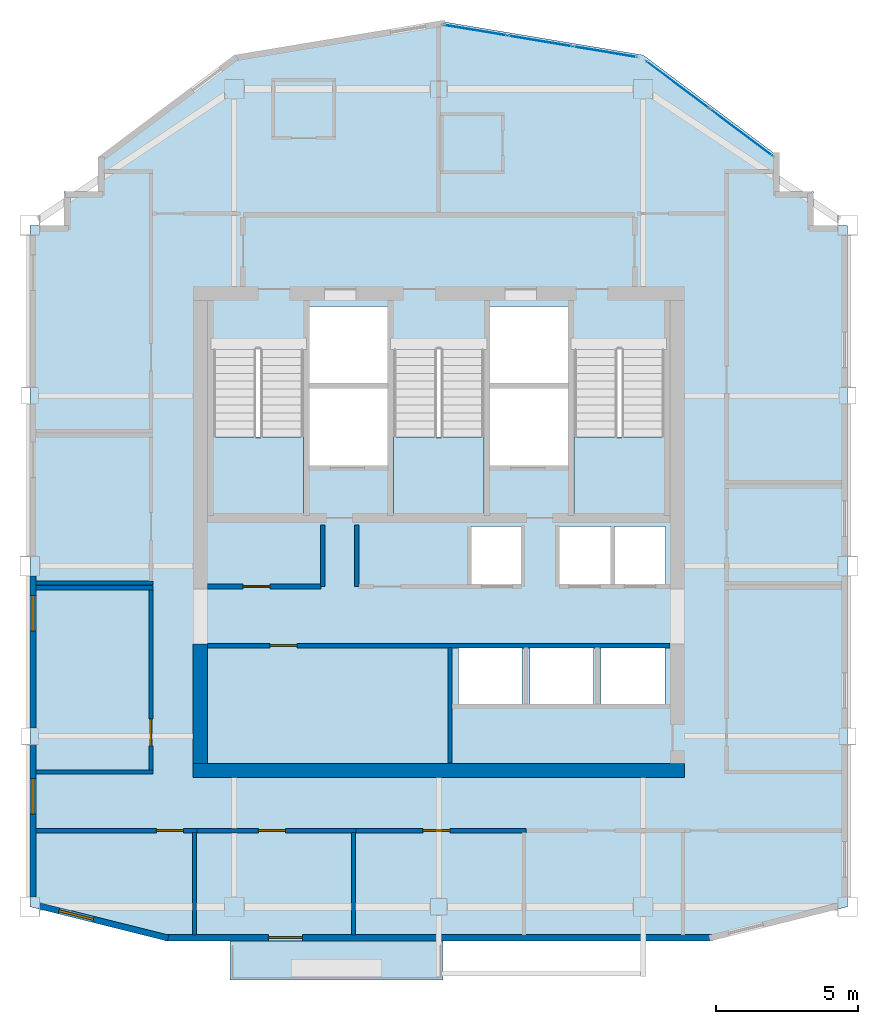
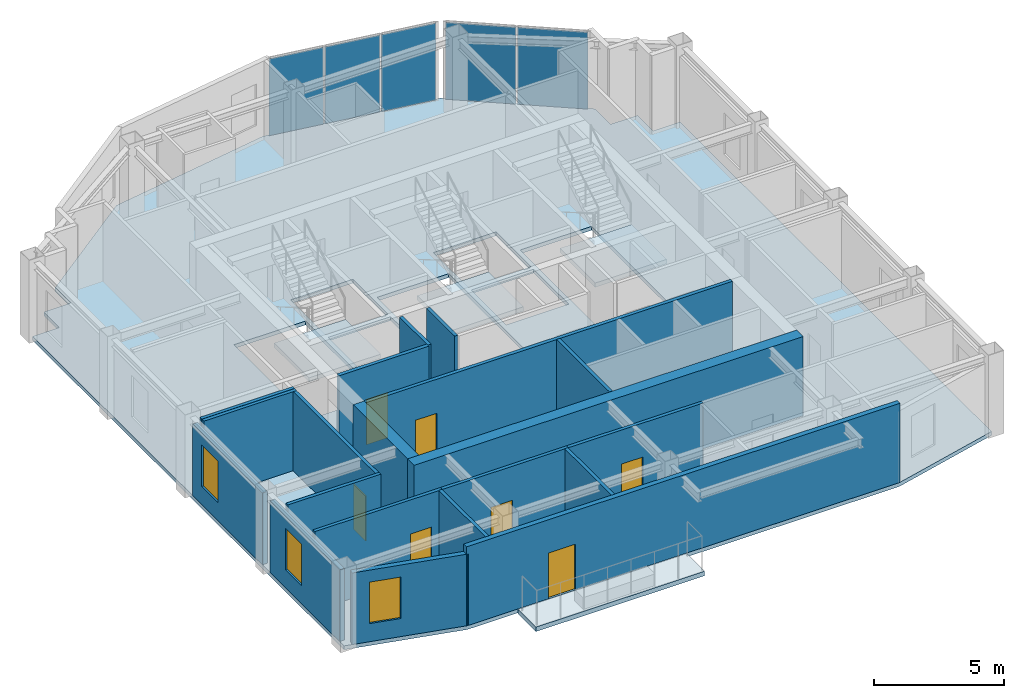
# One storey, part 4 of 8: 20 walls, 7 doors, 5 plates, 5 slabs, 3 windows, 10 openings, 5 elements without a shape of their own.
"""IFC4 building model written with IfcOpenShell, lengths in metres."""

from ifc_helpers import new_model, si_unit, direction, frame, frame_2d, origin, origin_2d, place, context, subcontext, project, spatial, polyline, rectangle, outline, extrude, material, layer, layer_set, type_object, element, fill, aggregate, save


model = new_model("IFC4")

# Units and contexts
model_context = context("Model", 3, precision=1e-05, world=origin(), true_north=direction((0.0, 1.0)))
body_context = subcontext(model_context, "Body", "Model", "MODEL_VIEW")
ifc_project = project(units=[si_unit("LENGTHUNIT", "METRE"), si_unit("AREAUNIT", "SQUARE_METRE"), si_unit("VOLUMEUNIT", "CUBIC_METRE"), si_unit("PLANEANGLEUNIT", "RADIAN"), si_unit("MASSUNIT", "GRAM", prefix="KILO")], contexts=[model_context])

# Site, building, storey
site_placement = place(None, origin())
site = spatial("IfcSite", under=ifc_project, at=site_placement, CompositionType="ELEMENT")
building_placement = place(site_placement, origin())
building = spatial("IfcBuilding", under=site, at=building_placement, Name="Haolan Belvedere Tower", CompositionType="ELEMENT")
storey_placement = place(building_placement, frame((0.0, 0.0, 301.699951171875)))
storey = spatial("IfcBuildingStorey", under=building, at=storey_placement, Name="L76", CompositionType="ELEMENT", Elevation=301.699951171875)

# Curtain wall, plates
ifc_material_1 = material(Name="Anodised champagne-silver aluminium 6063-T6 and Low-E glass", Category="aluminium")
ifc_layer_1 = layer(ifc_material_1, 0.14501953125, Name="Anodised champagne-silver aluminium 6063-T6 and Low-E glass")
ifc_layer_set_1 = layer_set([ifc_layer_1], Name="Anodised champagne-silver aluminium 6063-T6 and Low-E glass")
curtain_wall_type = type_object("IfcCurtainWallType", Name="CW-SYS-05", PredefinedType="NOTDEFINED", material=ifc_layer_set_1)
curtain_wall_1_placement = place(storey_placement, origin())
curtain_wall_1 = element("IfcCurtainWall", 1, at=curtain_wall_1_placement, inside=storey, type_object=curtain_wall_type, Name="L76 CW-SYS-05 ribbon curtain wall 8.1", PredefinedType="NOTDEFINED")
ifc_material_2 = material(Name="Double silver Low-E laminated insulating glass", Category="glass")
ifc_layer_2 = layer(ifc_material_2, 0.02197265625, Name="Double silver Low-E laminated insulating glass")
ifc_layer_set_2 = layer_set([ifc_layer_2], Name="Double silver Low-E laminated insulating glass")
plate_type = type_object("IfcPlateType", Name="CW-SYS-05-PNL", PredefinedType="CURTAIN_PANEL", material=ifc_layer_set_2)
plate_1_placement = place(storey_placement, frame((49.03955078125, 48.8828125, 0.050048828125), z_axis=(0.0, 0.0, 1.0), x_axis=(-0.799997871638, 0.600002837806, 0.0)))
plate_1 = element("IfcPlate", 2, at=plate_1_placement, type_object=plate_type, Name="CW-05 panel 1.1", PredefinedType="CURTAIN_PANEL", context=body_context, shape_type="SweptSolid", body=[
    extrude(rectangle(XDim=2.738037109375, YDim=0.02197265625, at=origin_2d()), origin(), (0.0, 0.0, 1.0), 3.6201171875),
])
plate_2_placement = place(storey_placement, frame((46.805908203125, 50.55810546875, 0.050048828125), z_axis=(0.0, 0.0, 1.0), x_axis=(-0.799997871638, 0.600002837806, 0.0)))
plate_2 = element("IfcPlate", 3, at=plate_2_placement, type_object=plate_type, Name="CW-05 panel 2.1", PredefinedType="CURTAIN_PANEL", context=body_context, shape_type="SweptSolid", body=[
    extrude(rectangle(XDim=2.738037109375, YDim=0.02197265625, at=origin_2d()), origin(), (0.0, 0.0, 1.0), 3.6201171875),
])
aggregate(curtain_wall_1, [plate_1, plate_2])

curtain_wall_2_placement = place(storey_placement, origin())
curtain_wall_2 = element("IfcCurtainWall", 4, at=curtain_wall_2_placement, inside=storey, type_object=curtain_wall_type, Name="L76 CW-SYS-05 ribbon curtain wall 9.1", PredefinedType="NOTDEFINED")
plate_3_placement = place(storey_placement, frame((44.257568359375, 51.712158203125, 0.050048828125), z_axis=(0.0, 0.0, 1.0), x_axis=(-0.98639276122, 0.164405962825, 0.0)))
plate_3 = element("IfcPlate", 5, at=plate_3_placement, type_object=plate_type, Name="CW-05 panel 1.1", PredefinedType="CURTAIN_PANEL", context=body_context, shape_type="SweptSolid", body=[
    extrude(rectangle(XDim=2.24365234375, YDim=0.02197265625, at=origin_2d()), origin(), (0.0, 0.0, 1.0), 3.6201171875),
])
plate_4_placement = place(storey_placement, frame((41.977783203125, 52.09228515625, 0.050048828125), z_axis=(0.0, 0.0, 1.0), x_axis=(-0.98639276122, 0.164405962825, 0.0)))
plate_4 = element("IfcPlate", 6, at=plate_4_placement, type_object=plate_type, Name="CW-05 panel 2.1", PredefinedType="CURTAIN_PANEL", context=body_context, shape_type="SweptSolid", body=[
    extrude(rectangle(XDim=2.270751953125, YDim=0.02197265625, at=origin_2d()), origin(), (0.0, 0.0, 1.0), 3.6201171875),
])
plate_5_placement = place(storey_placement, frame((39.697998046875, 52.47216796875, 0.050048828125), z_axis=(0.0, 0.0, 1.0), x_axis=(-0.98639276122, 0.164405962825, 0.0)))
plate_5 = element("IfcPlate", 7, at=plate_5_placement, type_object=plate_type, Name="CW-05 panel 3.1", PredefinedType="CURTAIN_PANEL", context=body_context, shape_type="SweptSolid", body=[
    extrude(rectangle(XDim=2.24365234375, YDim=0.02197265625, at=origin_2d()), origin(), (0.0, 0.0, 1.0), 3.6201171875),
])
aggregate(curtain_wall_2, [plate_3, plate_4, plate_5])

# Slabs
ifc_material_3 = material(Name="Concrete C40/50", Category="concrete")
ifc_layer_3 = layer(ifc_material_3, 0.2099609375, Name="Concrete C40/50")
ifc_layer_set_3 = layer_set([ifc_layer_3], Name="Concrete C40/50")
slab_type_1 = type_object("IfcSlabType", Name="SL-BAL-210", PredefinedType="FLOOR", material=ifc_layer_set_3)
slab_1_placement = place(storey_placement, frame((0.0, 0.0, -0.22998046875)))
element("IfcSlab", 8, at=slab_1_placement, inside=storey, type_object=slab_type_1, Name="L76 structural tree-planter balcony slab BAL-L76-S1", PredefinedType="FLOOR", context=body_context, shape_type="SweptSolid", body=[
    extrude(outline(polyline([(31.050048828125, 19.02001953125), (38.550048828125, 19.02001953125), (38.550048828125, 20.39990234375), (31.050048828125, 20.39990234375), (31.050048828125, 19.02001953125)])), origin(), (0.0, 0.0, 1.0), 0.2099609375),
])
ifc_layer_4 = layer(ifc_material_3, 0.179931640625, Name="Concrete C40/50")
ifc_layer_set_4 = layer_set([ifc_layer_4], Name="Concrete C40/50")
slab_type_2 = type_object("IfcSlabType", Name="SL-FLR-180", PredefinedType="FLOOR", material=ifc_layer_set_4)
slab_2_placement = place(storey_placement, frame((0.0, 0.0, -0.179931640625)))
element("IfcSlab", 9, at=slab_2_placement, inside=storey, type_object=slab_type_2, Name="L76 structural floor slab", PredefinedType="FLOOR", context=body_context, shape_type="SweptSolid", body=[
    extrude(outline(polyline([(24.0, 21.60009765625), (28.800048828125, 20.39990234375), (48.0, 20.39990234375), (52.800048828125, 21.60009765625), (52.800048828125, 45.60009765625), (52.800048828125, 45.60009765625), (51.60009765625, 45.60009765625), (51.60009765625, 46.800048828125), (50.39990234375, 46.800048828125), (50.39990234375, 48.0), (45.60009765625, 51.60009765625), (38.39990234375, 52.800048828125), (31.199951171875, 51.60009765625), (26.39990234375, 48.0), (26.39990234375, 46.800048828125), (25.199951171875, 46.800048828125), (25.199951171875, 45.60009765625), (24.0, 45.60009765625), (24.0, 45.60009765625), (24.0, 21.60009765625)]), holes=[polyline([(30.449951171875, 41.22998046875), (30.449951171875, 35.449951171875), (33.6298828125, 35.449951171875), (33.6298828125, 41.22998046875), (30.449951171875, 41.22998046875)]), polyline([(36.81005859375, 41.22998046875), (36.81005859375, 35.449951171875), (39.989990234375, 35.449951171875), (39.989990234375, 41.22998046875), (36.81005859375, 41.22998046875)]), polyline([(43.169921875, 41.22998046875), (43.169921875, 35.449951171875), (46.35009765625, 35.449951171875), (46.35009765625, 41.22998046875), (43.169921875, 41.22998046875)]), polyline([(33.830078125, 40.050048828125), (36.610107421875, 40.050048828125), (36.610107421875, 42.75), (33.830078125, 42.75), (33.830078125, 40.050048828125)]), polyline([(33.830078125, 37.14990234375), (36.610107421875, 37.14990234375), (36.610107421875, 39.85009765625), (33.830078125, 39.85009765625), (33.830078125, 37.14990234375)]), polyline([(40.18994140625, 40.050048828125), (42.969970703125, 40.050048828125), (42.969970703125, 42.75), (40.18994140625, 42.75), (40.18994140625, 40.050048828125)]), polyline([(40.18994140625, 37.14990234375), (42.969970703125, 37.14990234375), (42.969970703125, 39.85009765625), (40.18994140625, 39.85009765625), (40.18994140625, 37.14990234375)]), polyline([(39.5400390625, 32.949951171875), (41.389892578125, 32.949951171875), (41.389892578125, 35.0), (39.5400390625, 35.0), (39.5400390625, 32.949951171875)]), polyline([(42.6201171875, 32.949951171875), (44.469970703125, 32.949951171875), (44.469970703125, 35.0), (42.6201171875, 35.0), (42.6201171875, 32.949951171875)]), polyline([(44.580078125, 32.949951171875), (46.3798828125, 32.949951171875), (46.3798828125, 35.0), (44.580078125, 35.0), (44.580078125, 32.949951171875)]), polyline([(39.10009765625, 28.75), (41.340087890625, 28.75), (41.340087890625, 30.75), (39.10009765625, 30.75), (39.10009765625, 28.75)]), polyline([(41.610107421875, 28.75), (43.85009765625, 28.75), (43.85009765625, 30.75), (41.610107421875, 30.75), (41.610107421875, 28.75)]), polyline([(44.1201171875, 28.75), (46.360107421875, 28.75), (46.360107421875, 30.75), (44.1201171875, 30.75), (44.1201171875, 28.75)])]), origin(), (0.0, 0.0, 1.0), 0.179931640625),
])

# Stair, slab
stair_type = type_object("IfcStairType", Name="STR-DL-24R-163", PredefinedType="HALF_TURN_STAIR", material=ifc_material_3)
stair_1_placement = place(storey_placement, origin())
stair_1 = element("IfcStair", 10, at=stair_1_placement, inside=storey, type_object=stair_type, Name="L76 Smokeproof Core Exit Stair ST1", PredefinedType="HALF_TURN_STAIR")
ifc_layer_5 = layer(ifc_material_3, 0.199951171875, Name="Concrete C40/50")
ifc_layer_set_5 = layer_set([ifc_layer_5], Name="Concrete C40/50")
slab_type_3 = type_object("IfcSlabType", Name="SL-LAND-200", PredefinedType="LANDING", material=ifc_layer_set_5)
slab_3_placement = place(storey_placement, frame((0.0, 0.0, 1.75)))
slab_3 = element("IfcSlab", 11, at=slab_3_placement, type_object=slab_type_3, Name="ST1 landing 1", PredefinedType="LANDING", context=body_context, shape_type="SweptSolid", body=[
    extrude(outline(polyline([(30.449951171875, 38.14990234375), (30.449951171875, 35.449951171875), (33.6298828125, 35.449951171875), (33.6298828125, 38.14990234375), (30.449951171875, 38.14990234375)])), origin(), (0.0, 0.0, 1.0), 0.199951171875),
])
aggregate(stair_1, [slab_3])

stair_2_placement = place(storey_placement, origin())
stair_2 = element("IfcStair", 12, at=stair_2_placement, inside=storey, type_object=stair_type, Name="L76 Smokeproof Core Exit Stair ST3", PredefinedType="HALF_TURN_STAIR")
slab_4_placement = place(storey_placement, frame((0.0, 0.0, 1.75)))
slab_4 = element("IfcSlab", 13, at=slab_4_placement, type_object=slab_type_3, Name="ST3 landing 1", PredefinedType="LANDING", context=body_context, shape_type="SweptSolid", body=[
    extrude(outline(polyline([(36.81005859375, 38.14990234375), (36.81005859375, 35.449951171875), (39.989990234375, 35.449951171875), (39.989990234375, 38.14990234375), (36.81005859375, 38.14990234375)])), origin(), (0.0, 0.0, 1.0), 0.199951171875),
])
aggregate(stair_2, [slab_4])

stair_3_placement = place(storey_placement, origin())
stair_3 = element("IfcStair", 14, at=stair_3_placement, inside=storey, type_object=stair_type, Name="L76 Smokeproof Core Exit Stair ST2", PredefinedType="HALF_TURN_STAIR")
slab_5_placement = place(storey_placement, frame((0.0, 0.0, 1.75)))
slab_5 = element("IfcSlab", 15, at=slab_5_placement, type_object=slab_type_3, Name="ST2 landing 1", PredefinedType="LANDING", context=body_context, shape_type="SweptSolid", body=[
    extrude(outline(polyline([(43.169921875, 38.14990234375), (43.169921875, 35.449951171875), (46.35009765625, 35.449951171875), (46.35009765625, 38.14990234375), (43.169921875, 38.14990234375)])), origin(), (0.0, 0.0, 1.0), 0.199951171875),
])
aggregate(stair_3, [slab_5])

# Walls
ifc_material_4 = material(Name="Concrete C50/60", Category="concrete")
ifc_layer_6 = layer(ifc_material_4, 0.5, Name="Concrete C50/60")
ifc_layer_set_6 = layer_set([ifc_layer_6], Name="Concrete C50/60")
wall_type_1 = type_object("IfcWallType", Name="WL-CORE-500", PredefinedType="SHEAR", material=ifc_layer_set_6)
wall_1_placement = place(storey_placement, frame((29.75, 26.39990234375, 0.0), z_axis=(0.0, 0.0, 1.0), x_axis=(1.0, 0.0, 0.0)))
element("IfcWall", 16, at=wall_1_placement, inside=storey, type_object=wall_type_1, Name="L76 central core south shear wall", PredefinedType="SHEAR", context=body_context, shape_type="SweptSolid", body=[
    extrude(rectangle(XDim=17.300048828125, YDim=0.5, at=frame_2d((8.64990234375, 0.0))), origin(), (0.0, 0.0, 1.0), 3.719970703125),
])
wall_2_placement = place(storey_placement, frame((30.0, 26.64990234375, 0.0), z_axis=(0.0, 0.0, 1.0), x_axis=(0.0, 1.0, 0.0)))
element("IfcWall", 17, at=wall_2_placement, inside=storey, type_object=wall_type_1, Name="L76 central core shear wall WS", PredefinedType="SHEAR", context=body_context, shape_type="SweptSolid", body=[
    extrude(rectangle(XDim=4.2001953125, YDim=0.5, at=frame_2d((2.10009765625, 0.0))), origin(), (0.0, 0.0, 1.0), 3.719970703125),
])

# Wall, opening, door
ifc_material_5 = material(Name="Precast concrete C40/50", Category="concrete")
ifc_layer_7 = layer(ifc_material_5, 0.219970703125, Name="Precast concrete C40/50")
ifc_layer_set_7 = layer_set([ifc_layer_7], Name="Precast concrete C40/50")
wall_type_2 = type_object("IfcWallType", Name="WL-EXT-220", PredefinedType="SOLIDWALL", material=ifc_layer_set_7)
wall_3_placement = place(storey_placement, frame((28.758544921875, 20.510009765625, 0.0), z_axis=(0.0, 0.0, 1.0), x_axis=(1.0, 0.0, 0.0)))
wall_3 = element("IfcWall", 18, at=wall_3_placement, inside=storey, type_object=wall_type_2, Name="L76 pale-metal exterior spandrel wall 1.1", PredefinedType="SOLIDWALL", context=body_context, shape_type="SweptSolid", body=[
    extrude(rectangle(XDim=19.282958984375, YDim=0.219970703125, at=frame_2d((9.6416015625, 0.0))), origin(), (0.0, 0.0, 1.0), 3.719970703125),
])
opening_1_placement = place(wall_3_placement, frame((4.841552734375, 0.0, 0.0), z_axis=(0.0, 0.0, 1.0), x_axis=(-1.0, 0.0, 0.0)))
opening_1 = element("IfcOpeningElement", 19, at=opening_1_placement, cuts=wall_3, Name="Opening BD-01", PredefinedType="OPENING", context=body_context, shape_type="SweptSolid", body=[
    extrude(rectangle(XDim=1.199951171875, YDim=2.14990234375, at=frame_2d((0.60009765625, 1.074951171875))), frame((0.0, 0.119873046875, 0.0), z_axis=(0.0, -1.0, 0.0), x_axis=(1.0, 0.0, 0.0)), (0.0, 0.0, 1.0), 0.239990234375),
])
ifc_material_6 = material(Name="Thermally broken pale-metal aluminium and Low-E glass", Category="aluminium")
door_type_1 = type_object("IfcDoorType", Name="DR-BAL-1200", OperationType="NOTDEFINED", PredefinedType="DOOR", material=ifc_material_6)
door_1_placement = place(opening_1_placement, origin())
door_1 = element("IfcDoor", 20, at=door_1_placement, inside=storey, type_object=door_type_1, Name="L76 tree-balcony access door 1", OperationType="SINGLE_SWING_RIGHT", OverallHeight=2.14990234375, OverallWidth=1.199951171875, PredefinedType="DOOR", context=body_context, shape_type="SweptSolid", body=[
    extrude(rectangle(XDim=1.199951171875, YDim=2.14990234375, at=frame_2d((0.60009765625, 1.074951171875))), frame((0.0, 0.02490234375, 0.0), z_axis=(0.0, -1.0, 0.0), x_axis=(1.0, 0.0, 0.0)), (0.0, 0.0, 1.0), 0.050048828125),
])
fill(opening_1, door_1)

# Wall, opening, window
wall_4_placement = place(storey_placement, frame((24.110107421875, 33.258056640625, 0.0), z_axis=(0.0, 0.0, 1.0), x_axis=(0.0, -1.0, 0.0)))
wall_4 = element("IfcWall", 21, at=wall_4_placement, inside=storey, type_object=wall_type_2, Name="L76 pale-metal exterior spandrel wall 16.3", PredefinedType="SOLIDWALL", context=body_context, shape_type="SweptSolid", body=[
    extrude(rectangle(XDim=5.365966796875, YDim=0.219970703125, at=frame_2d((2.68310546875, 0.0))), origin(), (0.0, 0.0, 1.0), 3.364990234375),
])
opening_2_placement = place(wall_4_placement, frame((0.699951171875, 0.0, 0.85009765625)))
opening_2 = element("IfcOpeningElement", 22, at=opening_2_placement, cuts=wall_4, Name="Opening W-04", PredefinedType="OPENING", context=body_context, shape_type="SweptSolid", body=[
    extrude(rectangle(XDim=1.25, YDim=1.949951171875, at=frame_2d((0.625, 0.97509765625))), frame((0.0, 0.119873046875, 0.0), z_axis=(0.0, -1.0, 0.0), x_axis=(1.0, 0.0, 0.0)), (0.0, 0.0, 1.0), 0.239990234375),
])
ifc_material_7 = material(Name="Anodised aluminium 6063-T6 and Low-E glass", Category="aluminium")
window_type = type_object("IfcWindowType", Name="WN-DECO-Z4", PartitioningType="SINGLE_PANEL", PredefinedType="WINDOW", material=ifc_material_7)
window_1_placement = place(opening_2_placement, origin())
window_1 = element("IfcWindow", 23, at=window_1_placement, inside=storey, type_object=window_type, Name="L76 Art Deco chevron window 1", OverallHeight=1.949951171875, OverallWidth=1.25, PartitioningType="SINGLE_PANEL", PredefinedType="WINDOW", context=body_context, shape_type="SweptSolid", body=[
    extrude(rectangle(XDim=1.25, YDim=1.949951171875, at=frame_2d((0.625, 0.97509765625))), frame((0.0, 0.030029296875, 0.0), z_axis=(0.0, -1.0, 0.0), x_axis=(1.0, 0.0, 0.0)), (0.0, 0.0, 1.0), 0.06005859375),
])
fill(opening_2, window_1)

wall_5_placement = place(storey_placement, frame((24.110107421875, 27.30810546875, 0.0), z_axis=(0.0, 0.0, 1.0), x_axis=(0.0, -1.0, 0.0)))
wall_5 = element("IfcWall", 24, at=wall_5_placement, inside=storey, type_object=wall_type_2, Name="L76 pale-metal exterior spandrel wall 16.4", PredefinedType="SOLIDWALL", context=body_context, shape_type="SweptSolid", body=[
    extrude(rectangle(XDim=5.3662109375, YDim=0.219970703125, at=frame_2d((2.68310546875, 0.0))), origin(), (0.0, 0.0, 1.0), 3.364990234375),
])
opening_3_placement = place(wall_5_placement, frame((1.193115234375, 0.0, 0.85009765625)))
opening_3 = element("IfcOpeningElement", 25, at=opening_3_placement, cuts=wall_5, Name="Opening W-04", PredefinedType="OPENING", context=body_context, shape_type="SweptSolid", body=[
    extrude(rectangle(XDim=1.25, YDim=1.949951171875, at=frame_2d((0.625, 0.97509765625))), frame((0.0, 0.119873046875, 0.0), z_axis=(0.0, -1.0, 0.0), x_axis=(1.0, 0.0, 0.0)), (0.0, 0.0, 1.0), 0.239990234375),
])
window_2_placement = place(opening_3_placement, origin())
window_2 = element("IfcWindow", 26, at=window_2_placement, inside=storey, type_object=window_type, Name="L76 Art Deco chevron window 1", OverallHeight=1.949951171875, OverallWidth=1.25, PartitioningType="SINGLE_PANEL", PredefinedType="WINDOW", context=body_context, shape_type="SweptSolid", body=[
    extrude(rectangle(XDim=1.25, YDim=1.949951171875, at=frame_2d((0.625, 0.97509765625))), frame((0.0, 0.030029296875, 0.0), z_axis=(0.0, -1.0, 0.0), x_axis=(1.0, 0.0, 0.0)), (0.0, 0.0, 1.0), 0.06005859375),
])
fill(opening_3, window_2)

wall_6_placement = place(storey_placement, frame((24.342041015625, 21.6279296875, 0.0), z_axis=(0.0, 0.0, 1.0), x_axis=(0.970136341762, -0.242560257242, 0.0)))
wall_6 = element("IfcWall", 27, at=wall_6_placement, inside=storey, type_object=wall_type_2, Name="L76 pale-metal exterior spandrel wall 17.1", PredefinedType="SOLIDWALL", context=body_context, shape_type="SweptSolid", body=[
    extrude(rectangle(XDim=4.664306640625, YDim=0.219970703125, at=frame_2d((2.33203125, 0.0))), origin(), (0.0, 0.0, 1.0), 3.364990234375),
])
opening_4_placement = place(wall_6_placement, frame((0.699951171875, 0.0, 0.85009765625)))
opening_4 = element("IfcOpeningElement", 28, at=opening_4_placement, cuts=wall_6, Name="Opening W-04", PredefinedType="OPENING", context=body_context, shape_type="SweptSolid", body=[
    extrude(rectangle(XDim=1.25, YDim=1.949951171875, at=frame_2d((0.625, 0.97509765625))), frame((0.0, 0.119873046875, 0.0), z_axis=(0.0, -1.0, 0.0), x_axis=(1.0, 0.0, 0.0)), (0.0, 0.0, 1.0), 0.239990234375),
])
window_3_placement = place(opening_4_placement, origin())
window_3 = element("IfcWindow", 29, at=window_3_placement, inside=storey, type_object=window_type, Name="L76 Art Deco chevron window 1", OverallHeight=1.949951171875, OverallWidth=1.25, PartitioningType="SINGLE_PANEL", PredefinedType="WINDOW", context=body_context, shape_type="SweptSolid", body=[
    extrude(rectangle(XDim=1.25, YDim=1.949951171875, at=frame_2d((0.625, 0.97509765625))), frame((0.0, 0.030029296875, 0.0), z_axis=(0.0, -1.0, 0.0), x_axis=(1.0, 0.0, 0.0)), (0.0, 0.0, 1.0), 0.06005859375),
])
fill(opening_4, window_3)

# Walls
ifc_material_8 = material(Name="Double gypsum acoustic stud partition", Category="masonry")
ifc_layer_8 = layer(ifc_material_8, 0.14990234375, Name="Double gypsum acoustic stud partition")
ifc_layer_set_8 = layer_set([ifc_layer_8], Name="Double gypsum acoustic stud partition")
wall_type_3 = type_object("IfcWallType", Name="WL-PART-150", PredefinedType="PARTITIONING", material=ifc_layer_set_8)
for number, where, z_axis, x_axis, name in (
    (30, (24.2119140625, 33.0, 0.0), (0.0, 0.0, 1.0), (1.0, 0.0, 0.0), "L76 interior partition IW-L76-HSK-S"),
    (31, (24.2119140625, 32.840087890625, 0.0), (0.0, 0.0, 1.0), (1.0, 0.0, 0.0), "L76 interior partition IW-L76-PKTW-N"),
    (32, (24.2119140625, 26.35009765625, 0.0), (0.0, 0.0, 1.0), (1.0, 0.0, 0.0), "L76 interior partition IW-L76-PKTW-S"),
):
    element("IfcWall", number, at=place(storey_placement, frame(where, z_axis=z_axis, x_axis=x_axis)), inside=storey, type_object=wall_type_3, Name=name, PredefinedType="PARTITIONING", context=body_context, shape_type="SweptSolid", body=[
        extrude(rectangle(XDim=4.128173828125, YDim=0.14990234375, at=frame_2d((2.06396484375, 0.0))), origin(), (0.0, 0.0, 1.0), 3.719970703125),
    ])

# Wall, opening, door
wall_7_placement = place(storey_placement, frame((28.260009765625, 26.409912109375, 0.0), z_axis=(0.0, 0.0, 1.0), x_axis=(0.0, 1.0, 0.0)))
wall_7 = element("IfcWall", 33, at=wall_7_placement, inside=storey, type_object=wall_type_3, Name="L76 interior partition IW-L76-PKTW-E", PredefinedType="PARTITIONING", context=body_context, shape_type="SweptSolid", body=[
    extrude(rectangle(XDim=6.3701171875, YDim=0.14990234375, at=frame_2d((3.18505859375, 0.0))), origin(), (0.0, 0.0, 1.0), 3.719970703125),
])
opening_5_placement = place(wall_7_placement, frame((1.81005859375, 0.0, 0.0), z_axis=(0.0, 0.0, 1.0), x_axis=(-1.0, 0.0, 0.0)))
opening_5 = element("IfcOpeningElement", 34, at=opening_5_placement, cuts=wall_7, Name="Opening ID-03", PredefinedType="OPENING", context=body_context, shape_type="SweptSolid", body=[
    extrude(rectangle(XDim=0.949951171875, YDim=2.1201171875, at=frame_2d((0.47509765625, 1.06005859375))), frame((0.0, 0.0849609375, 0.0), z_axis=(0.0, -1.0, 0.0), x_axis=(1.0, 0.0, 0.0)), (0.0, 0.0, 1.0), 0.169921875),
])
ifc_material_9 = material(Name="Painted solid-core timber", Category="wood")
door_type_2 = type_object("IfcDoorType", Name="DR-INT-950", OperationType="NOTDEFINED", PredefinedType="DOOR", material=ifc_material_9)
door_2_placement = place(opening_5_placement, origin())
door_2 = element("IfcDoor", 35, at=door_2_placement, inside=storey, type_object=door_type_2, Name="L76 door ID-L76-PKTW", OperationType="SINGLE_SWING_LEFT", OverallHeight=2.1201171875, OverallWidth=0.949951171875, PredefinedType="DOOR", context=body_context, shape_type="SweptSolid", body=[
    extrude(rectangle(XDim=0.949951171875, YDim=2.1201171875, at=frame_2d((0.47509765625, 1.06005859375))), frame((0.0, 0.02490234375, 0.0), z_axis=(0.0, -1.0, 0.0), x_axis=(1.0, 0.0, 0.0)), (0.0, 0.0, 1.0), 0.050048828125),
])
fill(opening_5, door_2)

wall_8_placement = place(storey_placement, frame((24.2119140625, 24.280029296875, 0.0), z_axis=(0.0, 0.0, 1.0), x_axis=(1.0, 0.0, 0.0)))
wall_8 = element("IfcWall", 36, at=wall_8_placement, inside=storey, type_object=wall_type_3, Name="L76 interior partition IW-L76-KS1-N", PredefinedType="PARTITIONING", context=body_context, shape_type="SweptSolid", body=[
    extrude(rectangle(XDim=5.66796875, YDim=0.14990234375, at=frame_2d((2.833984375, 0.0))), origin(), (0.0, 0.0, 1.0), 3.719970703125),
])
opening_6_placement = place(wall_8_placement, frame((5.19287109375, 0.0, 0.0), z_axis=(0.0, 0.0, 1.0), x_axis=(-1.0, 0.0, 0.0)))
opening_6 = element("IfcOpeningElement", 37, at=opening_6_placement, cuts=wall_8, Name="Opening ID-03", PredefinedType="OPENING", context=body_context, shape_type="SweptSolid", body=[
    extrude(rectangle(XDim=0.949951171875, YDim=2.1201171875, at=frame_2d((0.47509765625, 1.06005859375))), frame((0.0, 0.0849609375, 0.0), z_axis=(0.0, -1.0, 0.0), x_axis=(1.0, 0.0, 0.0)), (0.0, 0.0, 1.0), 0.169921875),
])
door_3_placement = place(opening_6_placement, origin())
door_3 = element("IfcDoor", 38, at=door_3_placement, inside=storey, type_object=door_type_2, Name="L76 door ID-L76-KS1", OperationType="SINGLE_SWING_RIGHT", OverallHeight=2.1201171875, OverallWidth=0.949951171875, PredefinedType="DOOR", context=body_context, shape_type="SweptSolid", body=[
    extrude(rectangle(XDim=0.949951171875, YDim=2.1201171875, at=frame_2d((0.47509765625, 1.06005859375))), frame((0.0, 0.02490234375, 0.0), z_axis=(0.0, -1.0, 0.0), x_axis=(1.0, 0.0, 0.0)), (0.0, 0.0, 1.0), 0.050048828125),
])
fill(opening_6, door_3)

# Wall
wall_9_placement = place(storey_placement, frame((29.800048828125, 20.612060546875, 0.0), z_axis=(0.0, 0.0, 1.0), x_axis=(0.0, 1.0, 0.0)))
element("IfcWall", 39, at=wall_9_placement, inside=storey, type_object=wall_type_3, Name="L76 interior partition IW-L76-KS1-E", PredefinedType="PARTITIONING", context=body_context, shape_type="SweptSolid", body=[
    extrude(rectangle(XDim=3.60791015625, YDim=0.14990234375, at=frame_2d((1.803955078125, 0.0))), origin(), (0.0, 0.0, 1.0), 3.719970703125),
])

# Wall, opening, door
wall_10_placement = place(storey_placement, frame((29.882080078125, 24.280029296875, 0.0), z_axis=(0.0, 0.0, 1.0), x_axis=(1.0, 0.0, 0.0)))
wall_10 = element("IfcWall", 40, at=wall_10_placement, inside=storey, type_object=wall_type_3, Name="L76 interior partition IW-L76-KS2-N", PredefinedType="PARTITIONING", context=body_context, shape_type="SweptSolid", body=[
    extrude(rectangle(XDim=5.597900390625, YDim=0.14990234375, at=frame_2d((2.798828125, 0.0))), origin(), (0.0, 0.0, 1.0), 3.719970703125),
])
opening_7_placement = place(wall_10_placement, frame((3.113037109375, 0.0, 0.0), z_axis=(0.0, 0.0, 1.0), x_axis=(-1.0, 0.0, 0.0)))
opening_7 = element("IfcOpeningElement", 41, at=opening_7_placement, cuts=wall_10, Name="Opening ID-03", PredefinedType="OPENING", context=body_context, shape_type="SweptSolid", body=[
    extrude(rectangle(XDim=0.949951171875, YDim=2.1201171875, at=frame_2d((0.47509765625, 1.06005859375))), frame((0.0, 0.0849609375, 0.0), z_axis=(0.0, -1.0, 0.0), x_axis=(1.0, 0.0, 0.0)), (0.0, 0.0, 1.0), 0.169921875),
])
door_4_placement = place(opening_7_placement, origin())
door_4 = element("IfcDoor", 42, at=door_4_placement, inside=storey, type_object=door_type_2, Name="L76 door ID-L76-KS2", OperationType="SINGLE_SWING_LEFT", OverallHeight=2.1201171875, OverallWidth=0.949951171875, PredefinedType="DOOR", context=body_context, shape_type="SweptSolid", body=[
    extrude(rectangle(XDim=0.949951171875, YDim=2.1201171875, at=frame_2d((0.47509765625, 1.06005859375))), frame((0.0, 0.02490234375, 0.0), z_axis=(0.0, -1.0, 0.0), x_axis=(1.0, 0.0, 0.0)), (0.0, 0.0, 1.0), 0.050048828125),
])
fill(opening_7, door_4)

# Wall
wall_11_placement = place(storey_placement, frame((35.39990234375, 20.612060546875, 0.0), z_axis=(0.0, 0.0, 1.0), x_axis=(0.0, 1.0, 0.0)))
element("IfcWall", 43, at=wall_11_placement, inside=storey, type_object=wall_type_3, Name="L76 interior partition IW-L76-KS2-E", PredefinedType="PARTITIONING", context=body_context, shape_type="SweptSolid", body=[
    extrude(rectangle(XDim=3.60791015625, YDim=0.14990234375, at=frame_2d((1.803955078125, 0.0))), origin(), (0.0, 0.0, 1.0), 3.719970703125),
])

# Wall, opening, door
wall_12_placement = place(storey_placement, frame((35.48193359375, 24.280029296875, 0.0), z_axis=(0.0, 0.0, 1.0), x_axis=(1.0, 0.0, 0.0)))
wall_12 = element("IfcWall", 44, at=wall_12_placement, inside=storey, type_object=wall_type_3, Name="L76 interior partition IW-L76-KS3-N", PredefinedType="PARTITIONING", context=body_context, shape_type="SweptSolid", body=[
    extrude(rectangle(XDim=5.998046875, YDim=0.14990234375, at=frame_2d((2.9990234375, 0.0))), origin(), (0.0, 0.0, 1.0), 3.719970703125),
])
opening_8_placement = place(wall_12_placement, frame((3.31298828125, 0.0, 0.0), z_axis=(0.0, 0.0, 1.0), x_axis=(-1.0, 0.0, 0.0)))
opening_8 = element("IfcOpeningElement", 45, at=opening_8_placement, cuts=wall_12, Name="Opening ID-03", PredefinedType="OPENING", context=body_context, shape_type="SweptSolid", body=[
    extrude(rectangle(XDim=0.949951171875, YDim=2.1201171875, at=frame_2d((0.47509765625, 1.06005859375))), frame((0.0, 0.0849609375, 0.0), z_axis=(0.0, -1.0, 0.0), x_axis=(1.0, 0.0, 0.0)), (0.0, 0.0, 1.0), 0.169921875),
])
door_5_placement = place(opening_8_placement, origin())
door_5 = element("IfcDoor", 46, at=door_5_placement, inside=storey, type_object=door_type_2, Name="L76 door ID-L76-KS3", OperationType="SINGLE_SWING_RIGHT", OverallHeight=2.1201171875, OverallWidth=0.949951171875, PredefinedType="DOOR", context=body_context, shape_type="SweptSolid", body=[
    extrude(rectangle(XDim=0.949951171875, YDim=2.1201171875, at=frame_2d((0.47509765625, 1.06005859375))), frame((0.0, 0.02490234375, 0.0), z_axis=(0.0, -1.0, 0.0), x_axis=(1.0, 0.0, 0.0)), (0.0, 0.0, 1.0), 0.050048828125),
])
fill(opening_8, door_5)

# Walls
ifc_material_10 = material(Name="Gypsum fire shaftwall assembly", Category="masonry")
ifc_layer_9 = layer(ifc_material_10, 0.1650390625, Name="Gypsum fire shaftwall assembly")
ifc_layer_set_9 = layer_set([ifc_layer_9], Name="Gypsum fire shaftwall assembly")
wall_type_4 = type_object("IfcWallType", Name="WL-SHAFT-160", PredefinedType="SOLIDWALL", material=ifc_layer_set_9)
for number, where, z_axis, x_axis, name in (
    (47, (34.31005859375, 32.8798828125, 0.0), (0.0, 0.0, 1.0), (0.0, 1.0, 0.0), "L76 interior partition IW-L76-SVP-W-SV1"),
    (48, (35.510009765625, 32.8798828125, 0.0), (0.0, 0.0, 1.0), (0.0, 1.0, 0.0), "L76 interior partition IW-L76-SVP-E-SV1"),
):
    element("IfcWall", number, at=place(storey_placement, frame(where, z_axis=z_axis, x_axis=x_axis)), inside=storey, type_object=wall_type_4, Name=name, PredefinedType="SOLIDWALL", context=body_context, shape_type="SweptSolid", body=[
        extrude(rectangle(XDim=2.170166015625, YDim=0.14990234375, at=frame_2d((1.0849609375, 0.0))), origin(), (0.0, 0.0, 1.0), 3.719970703125),
    ])

# Wall, opening, door
wall_13_placement = place(storey_placement, frame((30.25, 32.8798828125, 0.0), z_axis=(0.0, 0.0, 1.0), x_axis=(1.0, 0.0, 0.0)))
wall_13 = element("IfcWall", 49, at=wall_13_placement, inside=storey, type_object=wall_type_4, Name="L76 interior partition IW-L76-ROW-PN1", PredefinedType="SOLIDWALL", context=body_context, shape_type="SweptSolid", body=[
    extrude(rectangle(XDim=4.0, YDim=0.159912109375, at=frame_2d((2.0, 0.0))), origin(), (0.0, 0.0, 1.0), 3.719970703125),
])
opening_9_placement = place(wall_13_placement, frame((2.199951171875, 0.0, 0.0), z_axis=(0.0, 0.0, 1.0), x_axis=(-1.0, 0.0, 0.0)))
opening_9 = element("IfcOpeningElement", 50, at=opening_9_placement, cuts=wall_13, Name="Opening ID-03", PredefinedType="OPENING", context=body_context, shape_type="SweptSolid", body=[
    extrude(rectangle(XDim=0.949951171875, YDim=2.1201171875, at=frame_2d((0.47509765625, 1.06005859375))), frame((0.0, 0.08984375, 0.0), z_axis=(0.0, -1.0, 0.0), x_axis=(1.0, 0.0, 0.0)), (0.0, 0.0, 1.0), 0.179931640625),
])
door_6_placement = place(opening_9_placement, origin())
door_6 = element("IfcDoor", 51, at=door_6_placement, inside=storey, type_object=door_type_2, Name="L76 door ID-L76-CD-RPLW", OperationType="SINGLE_SWING_LEFT", OverallHeight=2.1201171875, OverallWidth=0.949951171875, PredefinedType="DOOR", context=body_context, shape_type="SweptSolid", body=[
    extrude(rectangle(XDim=0.949951171875, YDim=2.1201171875, at=frame_2d((0.47509765625, 1.06005859375))), frame((0.0, 0.02490234375, 0.0), z_axis=(0.0, -1.0, 0.0), x_axis=(1.0, 0.0, 0.0)), (0.0, 0.0, 1.0), 0.050048828125),
])
fill(opening_9, door_6)

wall_14_placement = place(storey_placement, frame((30.25, 30.800048828125, 0.0), z_axis=(0.0, 0.0, 1.0), x_axis=(1.0, 0.0, 0.0)))
wall_14 = element("IfcWall", 52, at=wall_14_placement, inside=storey, type_object=wall_type_4, Name="L76 interior partition IW-L76-ROW-PS", PredefinedType="SOLIDWALL", context=body_context, shape_type="SweptSolid", body=[
    extrude(rectangle(XDim=16.300048828125, YDim=0.159912109375, at=frame_2d((8.14990234375, 0.0))), origin(), (0.0, 0.0, 1.0), 3.719970703125),
])
opening_10_placement = place(wall_14_placement, frame((2.199951171875, 0.0, 0.0)))
opening_10 = element("IfcOpeningElement", 53, at=opening_10_placement, cuts=wall_14, Name="Opening ID-03", PredefinedType="OPENING", context=body_context, shape_type="SweptSolid", body=[
    extrude(rectangle(XDim=0.949951171875, YDim=2.1201171875, at=frame_2d((0.47509765625, 1.06005859375))), frame((0.0, 0.08984375, 0.0), z_axis=(0.0, -1.0, 0.0), x_axis=(1.0, 0.0, 0.0)), (0.0, 0.0, 1.0), 0.179931640625),
])
door_7_placement = place(opening_10_placement, origin())
door_7 = element("IfcDoor", 54, at=door_7_placement, inside=storey, type_object=door_type_2, Name="L76 door ID-L76-CD-RPMA", OperationType="SINGLE_SWING_LEFT", OverallHeight=2.1201171875, OverallWidth=0.949951171875, PredefinedType="DOOR", context=body_context, shape_type="SweptSolid", body=[
    extrude(rectangle(XDim=0.949951171875, YDim=2.1201171875, at=frame_2d((0.47509765625, 1.06005859375))), frame((0.0, 0.02490234375, 0.0), z_axis=(0.0, -1.0, 0.0), x_axis=(1.0, 0.0, 0.0)), (0.0, 0.0, 1.0), 0.050048828125),
])
fill(opening_10, door_7)

# Wall
wall_15_placement = place(storey_placement, frame((38.800048828125, 26.659912109375, 0.0), z_axis=(0.0, 0.0, 1.0), x_axis=(0.0, 1.0, 0.0)))
element("IfcWall", 55, at=wall_15_placement, inside=storey, type_object=wall_type_4, Name="L76 interior partition IW-L76-DIV-PM-OB", PredefinedType="SOLIDWALL", context=body_context, shape_type="SweptSolid", body=[
    extrude(rectangle(XDim=4.0751953125, YDim=0.14990234375, at=frame_2d((2.03759765625, 0.0))), origin(), (0.0, 0.0, 1.0), 3.719970703125),
])

save(model, "model.ifc")
